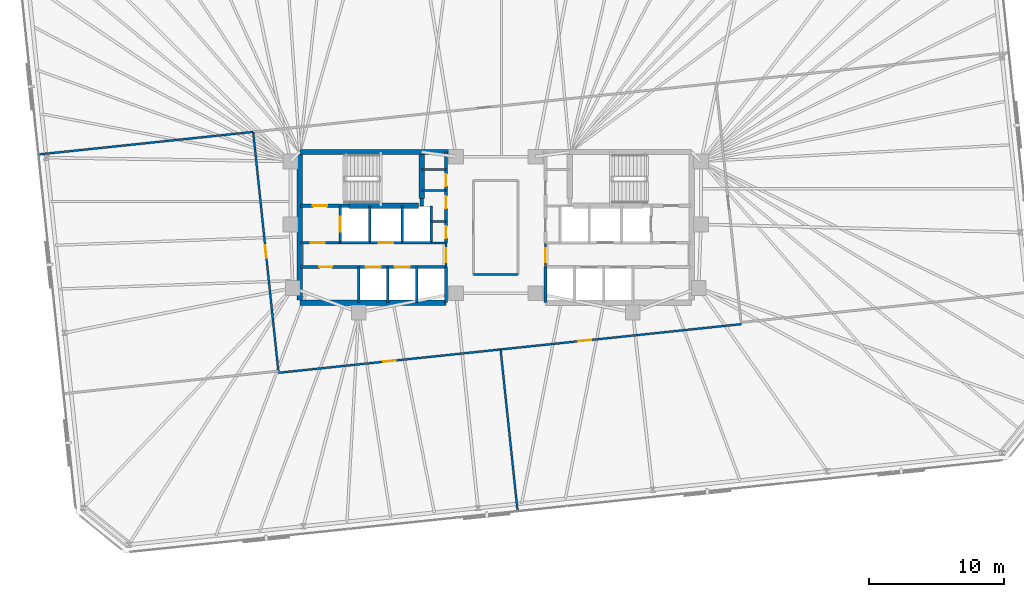
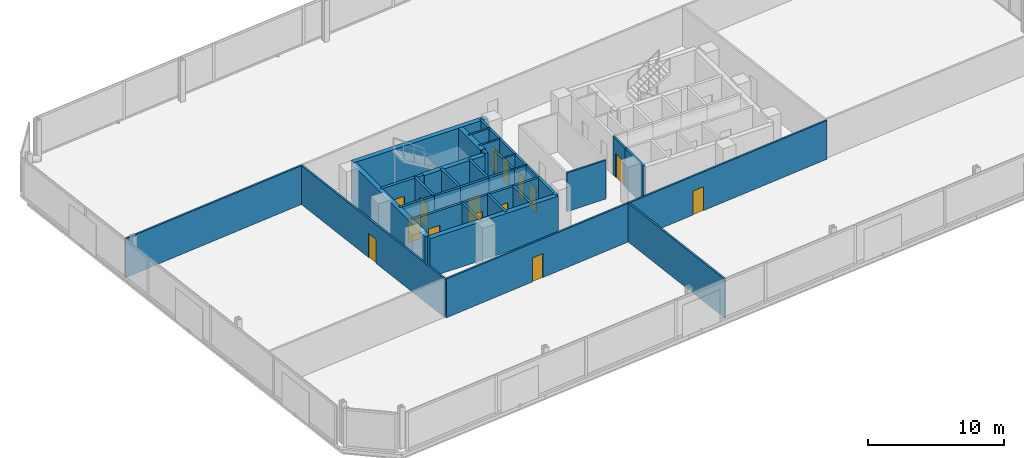
# One storey, part 14 of 17: 34 walls, 15 doors, 15 openings.
"""IFC4 building model written with IfcOpenShell, lengths in metres."""

import ifcopenshell
import ifcopenshell.guid

model = None  # the IFC model being written
_history = None  # IfcOwnerHistory: only IFC2X3 demands one
_inside = {}  # id of a spatial element -> (the spatial element, [elements in it])
_under = {}  # id of a project, library or spatial element -> (it, [spatial elements below it])
_declared = {}  # id of a project -> (the project, [libraries it declares])
_typed = {}  # id of a type object -> (the type object, [elements of that type])
_made_of = {}  # id of a material, layer set ... -> (it, [elements and type objects made of it])


def new_model(schema):
    """Start an empty IFC model of exactly this schema.

    Asked for "IFC4X3", IfcOpenShell would pick the latest addendum, in which some entities
    have other attributes; the version numbers below select the first issue.
    IFC2X3 requires an IfcOwnerHistory on every rooted entity: one is made here for all.
    """
    global model, _history
    if schema == "IFC4X3":
        model = ifcopenshell.file(schema_version=(4, 3, 0, 0))
    else:
        model = ifcopenshell.file(schema=schema)
    _inside.clear()
    _under.clear()
    _declared.clear()
    _typed.clear()
    _made_of.clear()
    _history = None
    if model.schema == "IFC2X3":
        org = make("IfcOrganization", Name="unknown")
        user = make(
            "IfcPersonAndOrganization",
            ThePerson=make("IfcPerson", FamilyName="unknown"),
            TheOrganization=org,
        )
        app = make(
            "IfcApplication",
            ApplicationDeveloper=org,
            Version="unknown",
            ApplicationFullName="unknown",
            ApplicationIdentifier="unknown",
        )
        _history = make(
            "IfcOwnerHistory",
            OwningUser=user,
            OwningApplication=app,
            ChangeAction="ADDED",
            CreationDate=0,
        )
    return model


def make(cls, **values):
    """One entity of the class cls with the attributes given. An attribute that is None is left unset."""
    return model.create_entity(
        cls, **{name: value for name, value in values.items() if value is not None}
    )


def rooted(cls, **values):
    """An entity with a GlobalId (a new one), such as an element, a storey or a relation."""
    return make(cls, GlobalId=ifcopenshell.guid.new(), OwnerHistory=_history, **values)


def si_unit(unit_type, name, prefix=None):
    """IfcSIUnit, for example si_unit("LENGTHUNIT", "METRE", prefix="MILLI")."""
    return make("IfcSIUnit", UnitType=unit_type, Prefix=prefix, Name=name)


def assignment(units):
    """IfcUnitAssignment: the units of a project."""
    return None if units is None else make("IfcUnitAssignment", Units=units)


def point(xyz):
    """IfcCartesianPoint."""
    return None if xyz is None else make("IfcCartesianPoint", Coordinates=xyz)


def direction(xyz):
    """IfcDirection."""
    return None if xyz is None else make("IfcDirection", DirectionRatios=xyz)


def frame(location, z_axis=None, x_axis=None):
    """IfcAxis2Placement3D, a coordinate frame: its origin and axes. An axis left out is left unset."""
    return make(
        "IfcAxis2Placement3D",
        Location=point(location),
        Axis=direction(z_axis),
        RefDirection=direction(x_axis),
    )


def frame_2d(location, x_axis=None):
    """IfcAxis2Placement2D, a coordinate frame in the plane: its origin and x axis."""
    return make(
        "IfcAxis2Placement2D", Location=point(location), RefDirection=direction(x_axis)
    )


def origin():
    """The frame at (0, 0, 0) with its axes left unset."""
    return frame((0.0, 0.0, 0.0))


def place(relative_to, where):
    """IfcLocalPlacement: puts the frame where relative to a parent placement (None: the world)."""
    return make(
        "IfcLocalPlacement", PlacementRelTo=relative_to, RelativePlacement=where
    )


def context(
    kind, dimensions, precision=None, world=None, true_north=None, identifier=None
):
    """IfcGeometricRepresentationContext, for example the 3D "Model" context."""
    return make(
        "IfcGeometricRepresentationContext",
        ContextIdentifier=identifier,
        ContextType=kind,
        CoordinateSpaceDimension=dimensions,
        Precision=precision,
        WorldCoordinateSystem=world,
        TrueNorth=true_north,
    )


def subcontext(parent, identifier, kind, view, scale=None):
    """IfcGeometricRepresentationSubContext, for example "Body" below "Model"."""
    return make(
        "IfcGeometricRepresentationSubContext",
        ContextIdentifier=identifier,
        ContextType=kind,
        ParentContext=parent,
        TargetScale=scale,
        TargetView=view,
    )


def project(units=None, contexts=None):
    """IfcProject with its units and contexts."""
    return rooted(
        "IfcProject",
        Name="project",
        RepresentationContexts=contexts,
        UnitsInContext=assignment(units),
    )


def spatial(cls, under=None, at=None, **own):
    """A site, building, storey or space (cls), placed at a placement, below another one or the project."""
    s = rooted(cls, ObjectPlacement=at, **own)
    if under is not None:
        _under.setdefault(under.id(), (under, []))[1].append(s)
    return s


def profile(cls, at=None, kind="AREA", **sizes):
    """A parametric profile (cls). Its sizes go by their IFC names, for example OverallWidth=200.0."""
    return make(cls, ProfileType=kind, Position=at, **sizes)


def rectangle(**sizes):
    """IfcRectangleProfileDef."""
    return profile("IfcRectangleProfileDef", **sizes)


def extrude(swept, where, along, depth):
    """IfcExtrudedAreaSolid: the profile swept, set in the frame where, extruded along a direction by depth."""
    return make(
        "IfcExtrudedAreaSolid",
        SweptArea=swept,
        Position=where,
        ExtrudedDirection=direction(along),
        Depth=depth,
    )


def shape(context_of_items, identifier, shape_type, items):
    """IfcShapeRepresentation: the items that make up one representation, for example the "Body"."""
    return make(
        "IfcShapeRepresentation",
        ContextOfItems=context_of_items,
        RepresentationIdentifier=identifier,
        RepresentationType=shape_type,
        Items=items,
    )


def material(Name=None, Category=None):
    """IfcMaterial."""
    return make("IfcMaterial", Name=Name, Category=Category)


def layer(
    of_material, thickness, ventilated=None, Name=None, Category=None, Priority=None
):
    """IfcMaterialLayer: one layer of a wall or slab, of a material (None: an air gap)."""
    return make(
        "IfcMaterialLayer",
        Material=of_material,
        LayerThickness=thickness,
        IsVentilated=ventilated,
        Name=Name,
        Category=Category,
        Priority=Priority,
    )


def layer_set(layers, Name=None):
    """IfcMaterialLayerSet."""
    return make("IfcMaterialLayerSet", MaterialLayers=layers, LayerSetName=Name)


def made_of(thing, what):
    """Note that an element or type object is made of a material, layer set ...; save() writes the relation."""
    if what is not None:
        _made_of.setdefault(what.id(), (what, []))[1].append(thing)
    return thing


def type_object(cls, material=None, **own):
    """A type object (cls), such as IfcWallType, which elements share."""
    return made_of(rooted(cls, **own), material)


def element(
    cls,
    number,
    at=None,
    inside=None,
    cuts=None,
    type_object=None,
    material=None,
    context=None,
    identifier="Body",
    shape_type=None,
    held_by="IfcProductDefinitionShape",
    body=None,
    shapes=None,
    **own,
):
    """One element of the class cls, such as IfcWall. Its Tag is "e" and its number.

    at: its placement. inside: the storey or other place that contains it. cuts: it is an
    opening in that element (IfcRelVoidsElement). A single representation is given by context,
    identifier, shape_type and body (its items); several are given by shapes. held_by: the class
    of the entity that holds the representations. save() writes the other relations.
    """
    e = rooted(cls, Tag="e%d" % number, ObjectPlacement=at, **own)
    if body is not None:
        shapes = [shape(context, identifier, shape_type, body)]
    if shapes is not None:
        e.Representation = make(held_by, Representations=shapes)
    if inside is not None:
        _inside.setdefault(inside.id(), (inside, []))[1].append(e)
    if cuts is not None:
        rooted(
            "IfcRelVoidsElement", RelatingBuildingElement=cuts, RelatedOpeningElement=e
        )
    if type_object is not None:
        _typed.setdefault(type_object.id(), (type_object, []))[1].append(e)
    return made_of(e, material)


def fill(opening, filler):
    """IfcRelFillsElement: the door or window that sits in an opening."""
    return rooted(
        "IfcRelFillsElement",
        RelatingOpeningElement=opening,
        RelatedBuildingElement=filler,
    )


def aggregate(whole, parts):
    """IfcRelAggregates: a whole, such as a stair, and the parts it consists of."""
    return rooted("IfcRelAggregates", RelatingObject=whole, RelatedObjects=parts)


def save(model, path):
    """Write the relations noted so far, then the file.

    IfcRelAggregates (storeys below a building ...), IfcRelContainedInSpatialStructure (elements
    in a storey), IfcRelDefinesByType, IfcRelAssociatesMaterial and IfcRelDeclares: one each for
    every whole, place, type object, material and project.
    """
    for whole, parts in _under.values():
        aggregate(whole, parts)
    for where, things in _inside.values():
        rooted(
            "IfcRelContainedInSpatialStructure",
            RelatedElements=things,
            RelatingStructure=where,
        )
    for kind, things in _typed.values():
        rooted("IfcRelDefinesByType", RelatedObjects=things, RelatingType=kind)
    for what, things in _made_of.values():
        rooted("IfcRelAssociatesMaterial", RelatedObjects=things, RelatingMaterial=what)
    for by, libraries in _declared.values():
        rooted("IfcRelDeclares", RelatingContext=by, RelatedDefinitions=libraries)
    model.write(path)


model = new_model("IFC4")

# Units and contexts
model_context = context("Model", 3, precision=1e-05, world=origin(), true_north=direction((0.0, 1.0)))
body_context = subcontext(model_context, "Body", "Model", "MODEL_VIEW")
ifc_project = project(units=[si_unit("LENGTHUNIT", "METRE"), si_unit("AREAUNIT", "SQUARE_METRE"), si_unit("VOLUMEUNIT", "CUBIC_METRE"), si_unit("PLANEANGLEUNIT", "RADIAN"), si_unit("MASSUNIT", "GRAM", prefix="KILO")], contexts=[model_context])

# Site, building, storey
site_placement = place(None, origin())
site = spatial("IfcSite", under=ifc_project, at=site_placement, CompositionType="ELEMENT")
building_placement = place(site_placement, origin())
building = spatial("IfcBuilding", under=site, at=building_placement, Name="Menara Jurai Vektor", CompositionType="ELEMENT")
storey_placement = place(building_placement, frame((0.0, 0.0, 87.39990234375)))
storey = spatial("IfcBuildingStorey", under=building, at=storey_placement, Name="L21", CompositionType="ELEMENT", Elevation=87.39990234375)

# Wall, opening, door
ifc_material_1 = material(Name="Concrete C40/50", Category="concrete")
ifc_layer_1 = layer(ifc_material_1, 0.25)
ifc_layer_set_1 = layer_set([ifc_layer_1], Name="Concrete C40/50")
wall_type_1 = type_object("IfcWallType", Name="INT-WALL-CORE-250", PredefinedType="STANDARD", material=ifc_layer_set_1)
wall_1_placement = place(storey_placement, frame((-14.5, 1.60009765625, 0.0), z_axis=(0.0, 0.0, 1.0), x_axis=(1.0, 0.0, 0.0)))
wall_1 = element("IfcWall", 1, at=wall_1_placement, inside=storey, type_object=wall_type_1, Name="Interior Wall IW-250 L21", PredefinedType="STANDARD", context=body_context, shape_type="SweptSolid", body=[
    extrude(rectangle(XDim=3.60009765625, YDim=0.25, at=frame_2d((1.800048828125, 0.0))), origin(), (0.0, 0.0, 1.0), 3.47509765625),
])
opening_1_placement = place(wall_1_placement, frame((0.919921875, 0.0, 0.0)))
opening_1 = element("IfcOpeningElement", 2, at=opening_1_placement, cuts=wall_1, Name="Opening D-L21-ST1", PredefinedType="OPENING", context=body_context, shape_type="SweptSolid", body=[
    extrude(rectangle(XDim=1.050048828125, YDim=2.14990234375, at=frame_2d((0.52490234375, 1.074951171875))), frame((0.0, 0.135009765625, 0.0), z_axis=(0.0, -1.0, 0.0), x_axis=(1.0, 0.0, 0.0)), (0.0, 0.0, 1.0), 0.27001953125),
])
ifc_material_2 = material(Name="Fire-Rated Steel Door", Category="steel")
door_type_1 = type_object("IfcDoorType", Name="DR-STAIR-1050", OperationType="NOTDEFINED", PredefinedType="DOOR", material=ifc_material_2)
door_1_placement = place(opening_1_placement, origin())
door_1 = element("IfcDoor", 3, at=door_1_placement, inside=storey, type_object=door_type_1, Name="Exit Stair ST1 Door L21", OperationType="SINGLE_SWING_RIGHT", OverallHeight=2.14990234375, OverallWidth=1.050048828125, PredefinedType="DOOR", context=body_context, shape_type="SweptSolid", body=[
    extrude(rectangle(XDim=1.050048828125, YDim=2.14990234375, at=frame_2d((0.52490234375, 1.074951171875))), frame((0.0, 0.02490234375, 0.0), z_axis=(0.0, -1.0, 0.0), x_axis=(1.0, 0.0, 0.0)), (0.0, 0.0, 1.0), 0.050048828125),
])
fill(opening_1, door_1)

# Wall
wall_2_placement = place(storey_placement, frame((-5.5, 1.60009765625, 0.0), z_axis=(0.0, 0.0, 1.0), x_axis=(0.0, 1.0, 0.0)))
element("IfcWall", 4, at=wall_2_placement, inside=storey, type_object=wall_type_1, Name="Interior Wall IW-250 L21", PredefinedType="STANDARD", context=body_context, shape_type="SweptSolid", body=[
    extrude(rectangle(XDim=0.5498046875, YDim=0.25, at=frame_2d((0.27490234375, 0.0))), origin(), (0.0, 0.0, 1.0), 3.47509765625),
])

# Wall, opening, door
wall_3_placement = place(storey_placement, frame((-11.550048828125, -1.14990234375, 0.0), z_axis=(0.0, 0.0, 1.0), x_axis=(0.0, 1.0, 0.0)))
wall_3 = element("IfcWall", 5, at=wall_3_placement, inside=storey, type_object=wall_type_1, Name="Interior Wall IW-250 L21", PredefinedType="STANDARD", context=body_context, shape_type="SweptSolid", body=[
    extrude(rectangle(XDim=2.75, YDim=0.199951171875, at=frame_2d((1.375, 0.0))), origin(), (0.0, 0.0, 1.0), 3.47509765625),
])
opening_2_placement = place(wall_3_placement, frame((0.824951171875, 0.0, 0.0)))
opening_2 = element("IfcOpeningElement", 6, at=opening_2_placement, cuts=wall_3, Name="Opening LD-L21-FL1", PredefinedType="OPENING", context=body_context, shape_type="SweptSolid", body=[
    extrude(rectangle(XDim=1.10009765625, YDim=2.14990234375, at=frame_2d((0.550048828125, 1.074951171875))), frame((0.0, 0.10986328125, 0.0), z_axis=(0.0, -1.0, 0.0), x_axis=(1.0, 0.0, 0.0)), (0.0, 0.0, 1.0), 0.219970703125),
])
ifc_material_3 = material(Name="Stainless Steel Sliding Lift Landing Door", Category="steel")
door_type_2 = type_object("IfcDoorType", Name="DR-LIFT-FIRE-1100", OperationType="NOTDEFINED", PredefinedType="DOOR", material=ifc_material_3)
door_2_placement = place(opening_2_placement, origin())
door_2 = element("IfcDoor", 7, at=door_2_placement, inside=storey, type_object=door_type_2, Name="Lift Landing Door FL1 L21", OperationType="SLIDING_TO_RIGHT", OverallHeight=2.14990234375, OverallWidth=1.10009765625, PredefinedType="DOOR", context=body_context, shape_type="SweptSolid", body=[
    extrude(rectangle(XDim=1.10009765625, YDim=2.14990234375, at=frame_2d((0.550048828125, 1.074951171875))), frame((0.0, 0.02490234375, 0.0), z_axis=(0.0, -1.0, 0.0), x_axis=(1.0, 0.0, 0.0)), (0.0, 0.0, 1.0), 0.050048828125),
])
fill(opening_2, door_2)

# Wall
wall_4_placement = place(storey_placement, frame((-9.35009765625, -1.14990234375, 0.0), z_axis=(0.0, 0.0, 1.0), x_axis=(0.0, 1.0, 0.0)))
element("IfcWall", 8, at=wall_4_placement, inside=storey, type_object=wall_type_1, Name="Interior Wall IW-250 L21", PredefinedType="STANDARD", context=body_context, shape_type="SweptSolid", body=[
    extrude(rectangle(XDim=2.75, YDim=0.199951171875, at=frame_2d((1.375, 0.0))), origin(), (0.0, 0.0, 1.0), 3.47509765625),
])

# Wall, opening, door
wall_5_placement = place(storey_placement, frame((-14.5, -1.14990234375, 0.0), z_axis=(0.0, 0.0, 1.0), x_axis=(1.0, 0.0, 0.0)))
wall_5 = element("IfcWall", 9, at=wall_5_placement, inside=storey, type_object=wall_type_1, Name="Interior Wall IW-250 L21", PredefinedType="STANDARD", context=body_context, shape_type="SweptSolid", body=[
    extrude(rectangle(XDim=2.949951171875, YDim=0.199951171875, at=frame_2d((1.47509765625, 0.0))), origin(), (0.0, 0.0, 1.0), 3.47509765625),
])
opening_3_placement = place(wall_5_placement, frame((0.75, 0.0, 0.0)))
opening_3 = element("IfcOpeningElement", 10, at=opening_3_placement, cuts=wall_5, Name="Opening D-L21-FFW", PredefinedType="OPENING", context=body_context, shape_type="SweptSolid", body=[
    extrude(rectangle(XDim=1.050048828125, YDim=2.179931640625, at=frame_2d((0.52490234375, 1.08984375))), frame((0.0, 0.10986328125, 0.0), z_axis=(0.0, -1.0, 0.0), x_axis=(1.0, 0.0, 0.0)), (0.0, 0.0, 1.0), 0.219970703125),
])
ifc_material_4 = material(Name="Fire-Rated Timber Door", Category="wood")
door_type_3 = type_object("IfcDoorType", Name="DR-LOBBY-1050", OperationType="NOTDEFINED", PredefinedType="DOOR", material=ifc_material_4)
door_3_placement = place(opening_3_placement, origin())
door_3 = element("IfcDoor", 11, at=door_3_placement, inside=storey, type_object=door_type_3, Name="Fire Lift Lobby Door W L21", OperationType="SINGLE_SWING_RIGHT", OverallHeight=2.179931640625, OverallWidth=1.050048828125, PredefinedType="DOOR", context=body_context, shape_type="SweptSolid", body=[
    extrude(rectangle(XDim=1.050048828125, YDim=2.179931640625, at=frame_2d((0.52490234375, 1.08984375))), frame((0.0, 0.02490234375, 0.0), z_axis=(0.0, -1.0, 0.0), x_axis=(1.0, 0.0, 0.0)), (0.0, 0.0, 1.0), 0.050048828125),
])
fill(opening_3, door_3)

# Wall
wall_6_placement = place(storey_placement, frame((-11.550048828125, -1.14990234375, 0.0), z_axis=(0.0, 0.0, 1.0), x_axis=(1.0, 0.0, 0.0)))
element("IfcWall", 12, at=wall_6_placement, inside=storey, type_object=wall_type_1, Name="Interior Wall IW-250 L21", PredefinedType="STANDARD", context=body_context, shape_type="SweptSolid", body=[
    extrude(rectangle(XDim=2.199951171875, YDim=0.199951171875, at=frame_2d((1.10009765625, 0.0))), origin(), (0.0, 0.0, 1.0), 3.47509765625),
])

# Wall, opening, door
ifc_material_5 = material(Name="Gypsum Fireboard Partition", Category="gypsum")
ifc_layer_2 = layer(ifc_material_5, 0.14990234375)
ifc_layer_set_2 = layer_set([ifc_layer_2], Name="Gypsum Fireboard Partition")
wall_type_2 = type_object("IfcWallType", Name="INT-WALL-CORR-150", PredefinedType="PARTITIONING", material=ifc_layer_set_2)
wall_7_placement = place(storey_placement, frame((-3.699951171875, -2.949951171875, 0.0), z_axis=(0.0, 0.0, 1.0), x_axis=(0.0, 1.0, 0.0)))
wall_7 = element("IfcWall", 13, at=wall_7_placement, inside=storey, type_object=wall_type_2, Name="Interior Wall IW-150 L21", PredefinedType="PARTITIONING", context=body_context, shape_type="SweptSolid", body=[
    extrude(rectangle(XDim=1.800048828125, YDim=0.14990234375, at=frame_2d((0.89990234375, 0.0))), origin(), (0.0, 0.0, 1.0), 3.47509765625),
])
opening_4_placement = place(wall_7_placement, frame((0.35009765625, 0.0, 0.0)))
opening_4 = element("IfcOpeningElement", 14, at=opening_4_placement, cuts=wall_7, Name="Opening D-L21-LLW", PredefinedType="OPENING", context=body_context, shape_type="SweptSolid", body=[
    extrude(rectangle(XDim=1.050048828125, YDim=2.179931640625, at=frame_2d((0.52490234375, 1.08984375))), frame((0.0, 0.0849609375, 0.0), z_axis=(0.0, -1.0, 0.0), x_axis=(1.0, 0.0, 0.0)), (0.0, 0.0, 1.0), 0.169921875),
])
door_4_placement = place(opening_4_placement, origin())
door_4 = element("IfcDoor", 15, at=door_4_placement, inside=storey, type_object=door_type_3, Name="Lift Lobby Corridor Door W L21", OperationType="SINGLE_SWING_LEFT", OverallHeight=2.179931640625, OverallWidth=1.050048828125, PredefinedType="DOOR", context=body_context, shape_type="SweptSolid", body=[
    extrude(rectangle(XDim=1.050048828125, YDim=2.179931640625, at=frame_2d((0.52490234375, 1.08984375))), frame((0.0, 0.02490234375, 0.0), z_axis=(0.0, -1.0, 0.0), x_axis=(1.0, 0.0, 0.0)), (0.0, 0.0, 1.0), 0.050048828125),
])
fill(opening_4, door_4)

# Wall
wall_8_placement = place(storey_placement, frame((-4.7900390625, -1.14990234375, 0.0), z_axis=(0.0, 0.0, 1.0), x_axis=(1.0, 0.0, 0.0)))
element("IfcWall", 16, at=wall_8_placement, inside=storey, type_object=wall_type_2, Name="Interior Wall IW-150 L21", PredefinedType="PARTITIONING", context=body_context, shape_type="SweptSolid", body=[
    extrude(rectangle(XDim=1.090087890625, YDim=0.14990234375, at=frame_2d((0.544921875, 0.0))), origin(), (0.0, 0.0, 1.0), 3.47509765625),
])

# Wall, opening, door
wall_9_placement = place(storey_placement, frame((3.699951171875, -2.949951171875, 0.0), z_axis=(0.0, 0.0, 1.0), x_axis=(0.0, 1.0, 0.0)))
wall_9 = element("IfcWall", 17, at=wall_9_placement, inside=storey, type_object=wall_type_2, Name="Interior Wall IW-150 L21", PredefinedType="PARTITIONING", context=body_context, shape_type="SweptSolid", body=[
    extrude(rectangle(XDim=1.800048828125, YDim=0.14990234375, at=frame_2d((0.89990234375, 0.0))), origin(), (0.0, 0.0, 1.0), 3.47509765625),
])
opening_5_placement = place(wall_9_placement, frame((0.35009765625, 0.0, 0.0)))
opening_5 = element("IfcOpeningElement", 18, at=opening_5_placement, cuts=wall_9, Name="Opening D-L21-LLE", PredefinedType="OPENING", context=body_context, shape_type="SweptSolid", body=[
    extrude(rectangle(XDim=1.050048828125, YDim=2.179931640625, at=frame_2d((0.52490234375, 1.08984375))), frame((0.0, 0.0849609375, 0.0), z_axis=(0.0, -1.0, 0.0), x_axis=(1.0, 0.0, 0.0)), (0.0, 0.0, 1.0), 0.169921875),
])
door_5_placement = place(opening_5_placement, frame((1.050048828125, 0.0, 0.0), z_axis=(0.0, 0.0, 1.0), x_axis=(-1.0, 0.0, 0.0)))
door_5 = element("IfcDoor", 19, at=door_5_placement, inside=storey, type_object=door_type_3, Name="Lift Lobby Corridor Door E L21", OperationType="SINGLE_SWING_RIGHT", OverallHeight=2.179931640625, OverallWidth=1.050048828125, PredefinedType="DOOR", context=body_context, shape_type="SweptSolid", body=[
    extrude(rectangle(XDim=1.050048828125, YDim=2.179931640625, at=frame_2d((0.52490234375, 1.08984375))), frame((0.0, 0.02490234375, 0.0), z_axis=(0.0, -1.0, 0.0), x_axis=(1.0, 0.0, 0.0)), (0.0, 0.0, 1.0), 0.050048828125),
])
fill(opening_5, door_5)

# Walls
wall_10_placement = place(storey_placement, frame((-5.5, 4.300048828125, 0.0), z_axis=(0.0, 0.0, 1.0), x_axis=(1.0, 0.0, 0.0)))
element("IfcWall", 20, at=wall_10_placement, inside=storey, type_object=wall_type_2, Name="Interior Wall IW-150 L21", PredefinedType="PARTITIONING", context=body_context, shape_type="SweptSolid", body=[
    extrude(rectangle(XDim=1.800048828125, YDim=0.14990234375, at=frame_2d((0.89990234375, 0.0))), origin(), (0.0, 0.0, 1.0), 3.47509765625),
])
wall_11_placement = place(storey_placement, frame((-4.7900390625, 0.449951171875, 0.0), z_axis=(0.0, 0.0, 1.0), x_axis=(1.0, 0.0, 0.0)))
element("IfcWall", 21, at=wall_11_placement, inside=storey, type_object=wall_type_2, Name="Interior Wall IW-150 L21", PredefinedType="PARTITIONING", context=body_context, shape_type="SweptSolid", body=[
    extrude(rectangle(XDim=1.090087890625, YDim=0.14990234375, at=frame_2d((0.544921875, 0.0))), origin(), (0.0, 0.0, 1.0), 3.47509765625),
])
wall_12_placement = place(storey_placement, frame((-5.5, 2.75, 0.0), z_axis=(0.0, 0.0, 1.0), x_axis=(1.0, 0.0, 0.0)))
element("IfcWall", 22, at=wall_12_placement, inside=storey, type_object=wall_type_2, Name="Interior Wall IW-150 L21", PredefinedType="PARTITIONING", context=body_context, shape_type="SweptSolid", body=[
    extrude(rectangle(XDim=1.800048828125, YDim=0.14990234375, at=frame_2d((0.89990234375, 0.0))), origin(), (0.0, 0.0, 1.0), 3.47509765625),
])
wall_13_placement = place(storey_placement, frame((-1.649658203125, -3.490478515625, 0.0), z_axis=(0.0, 0.0, 1.0), x_axis=(1.0, 0.0, 0.0)))
element("IfcWall", 23, at=wall_13_placement, inside=storey, type_object=wall_type_2, Name="Interior Wall IW-150 L21", PredefinedType="PARTITIONING", context=body_context, shape_type="SweptSolid", body=[
    extrude(rectangle(XDim=3.300048828125, YDim=0.14990234375, at=frame_2d((1.64990234375, 0.0))), origin(), (0.0, 0.0, 1.0), 3.47509765625),
])

# Wall, opening, door
wall_14_placement = place(storey_placement, frame((-16.139892578125, -10.80908203125, 0.0), z_axis=(0.0, 0.0, 1.0), x_axis=(0.994521566569, 0.104531591539, 0.0)))
wall_14 = element("IfcWall", 24, at=wall_14_placement, inside=storey, type_object=wall_type_2, Name="Interior Wall IW-150 L21", PredefinedType="PARTITIONING", context=body_context, shape_type="SweptSolid", body=[
    extrude(rectangle(XDim=16.591796875, YDim=0.14990234375, at=frame_2d((8.2958984375, 0.0))), origin(), (0.0, 0.0, 1.0), 3.47509765625),
])
opening_6_placement = place(wall_14_placement, frame((7.821044921875, 0.0, 0.0)))
opening_6 = element("IfcOpeningElement", 25, at=opening_6_placement, cuts=wall_14, Name="Opening D21-10", PredefinedType="OPENING", context=body_context, shape_type="SweptSolid", body=[
    extrude(rectangle(XDim=0.949951171875, YDim=2.14990234375, at=frame_2d((0.47509765625, 1.074951171875))), frame((0.0, 0.0849609375, 0.0), z_axis=(0.0, -1.0, 0.0), x_axis=(1.0, 0.0, 0.0)), (0.0, 0.0, 1.0), 0.169921875),
])
ifc_material_6 = material(Name="Solid Core Timber Fire Door", Category="wood")
door_type_4 = type_object("IfcDoorType", Name="DR-ENTRY-950", OperationType="NOTDEFINED", PredefinedType="DOOR", material=ifc_material_6)
door_6_placement = place(opening_6_placement, origin())
door_6 = element("IfcDoor", 26, at=door_6_placement, inside=storey, type_object=door_type_4, Name="Interior Door D21-10", OperationType="SINGLE_SWING_LEFT", OverallHeight=2.14990234375, OverallWidth=0.949951171875, PredefinedType="DOOR", context=body_context, shape_type="SweptSolid", body=[
    extrude(rectangle(XDim=0.949951171875, YDim=2.14990234375, at=frame_2d((0.47509765625, 1.074951171875))), frame((0.0, 0.02490234375, 0.0), z_axis=(0.0, -1.0, 0.0), x_axis=(1.0, 0.0, 0.0)), (0.0, 0.0, 1.0), 0.050048828125),
])
fill(opening_6, door_6)

wall_15_placement = place(storey_placement, frame((0.361083984375, -9.07470703125, 0.0), z_axis=(0.0, 0.0, 1.0), x_axis=(0.994523293042, 0.104515164432, 0.0)))
wall_15 = element("IfcWall", 27, at=wall_15_placement, inside=storey, type_object=wall_type_2, Name="Interior Wall IW-150 L21", PredefinedType="PARTITIONING", context=body_context, shape_type="SweptSolid", body=[
    extrude(rectangle(XDim=17.98193359375, YDim=0.14990234375, at=frame_2d((8.990966796875, 0.0))), origin(), (0.0, 0.0, 1.0), 3.47509765625),
])
opening_7_placement = place(wall_15_placement, frame((5.818603515625, 0.0, 0.0)))
opening_7 = element("IfcOpeningElement", 28, at=opening_7_placement, cuts=wall_15, Name="Opening D21-11", PredefinedType="OPENING", context=body_context, shape_type="SweptSolid", body=[
    extrude(rectangle(XDim=0.949951171875, YDim=2.14990234375, at=frame_2d((0.47509765625, 1.074951171875))), frame((0.0, 0.0849609375, 0.0), z_axis=(0.0, -1.0, 0.0), x_axis=(1.0, 0.0, 0.0)), (0.0, 0.0, 1.0), 0.169921875),
])
door_7_placement = place(opening_7_placement, origin())
door_7 = element("IfcDoor", 29, at=door_7_placement, inside=storey, type_object=door_type_4, Name="Interior Door D21-11", OperationType="SINGLE_SWING_RIGHT", OverallHeight=2.14990234375, OverallWidth=0.949951171875, PredefinedType="DOOR", context=body_context, shape_type="SweptSolid", body=[
    extrude(rectangle(XDim=0.949951171875, YDim=2.14990234375, at=frame_2d((0.47509765625, 1.074951171875))), frame((0.0, 0.02490234375, 0.0), z_axis=(0.0, -1.0, 0.0), x_axis=(1.0, 0.0, 0.0)), (0.0, 0.0, 1.0), 0.050048828125),
])
fill(opening_7, door_7)

wall_16_placement = place(storey_placement, frame((-16.1533203125, -10.681884765625, 0.0), z_axis=(0.0, 0.0, 1.0), x_axis=(-0.104527614588, 0.994521984568, 0.0)))
wall_16 = element("IfcWall", 30, at=wall_16_placement, inside=storey, type_object=wall_type_2, Name="Interior Wall IW-150 L21", PredefinedType="PARTITIONING", context=body_context, shape_type="SweptSolid", body=[
    extrude(rectangle(XDim=17.8701171875, YDim=0.14990234375, at=frame_2d((8.93505859375, 0.0))), origin(), (0.0, 0.0, 1.0), 3.47509765625),
])
opening_8_placement = place(wall_16_placement, frame((8.4599609375, 0.0, 0.0)))
opening_8 = element("IfcOpeningElement", 31, at=opening_8_placement, cuts=wall_16, Name="Opening D21-12", PredefinedType="OPENING", context=body_context, shape_type="SweptSolid", body=[
    extrude(rectangle(XDim=0.949951171875, YDim=2.14990234375, at=frame_2d((0.47509765625, 1.074951171875))), frame((0.0, 0.0849609375, 0.0), z_axis=(0.0, -1.0, 0.0), x_axis=(1.0, 0.0, 0.0)), (0.0, 0.0, 1.0), 0.169921875),
])
door_8_placement = place(opening_8_placement, origin())
door_8 = element("IfcDoor", 32, at=door_8_placement, inside=storey, type_object=door_type_4, Name="Interior Door D21-12", OperationType="SINGLE_SWING_LEFT", OverallHeight=2.14990234375, OverallWidth=0.949951171875, PredefinedType="DOOR", context=body_context, shape_type="SweptSolid", body=[
    extrude(rectangle(XDim=0.949951171875, YDim=2.14990234375, at=frame_2d((0.47509765625, 1.074951171875))), frame((0.0, 0.02490234375, 0.0), z_axis=(0.0, -1.0, 0.0), x_axis=(1.0, 0.0, 0.0)), (0.0, 0.0, 1.0), 0.050048828125),
])
fill(opening_8, door_8)

# Walls
wall_17_placement = place(storey_placement, frame((-33.966552734375, 5.414306640625, 0.0), z_axis=(0.0, 0.0, 1.0), x_axis=(0.994521211213, 0.104534972363, 0.0)))
element("IfcWall", 33, at=wall_17_placement, inside=storey, type_object=wall_type_2, Name="Interior Wall IW-150 L21", PredefinedType="PARTITIONING", context=body_context, shape_type="SweptSolid", body=[
    extrude(rectangle(XDim=16.033203125, YDim=0.14990234375, at=frame_2d((8.0166015625, 0.0))), origin(), (0.0, 0.0, 1.0), 3.47509765625),
])
wall_18_placement = place(storey_placement, frame((1.625, -21.1015625, 0.0), z_axis=(0.0, 0.0, 1.0), x_axis=(-0.104515587229, 0.99452324861, 0.0)))
element("IfcWall", 34, at=wall_18_placement, inside=storey, type_object=wall_type_2, Name="Interior Wall IW-150 L21", PredefinedType="PARTITIONING", context=body_context, shape_type="SweptSolid", body=[
    extrude(rectangle(XDim=12.093017578125, YDim=0.14990234375, at=frame_2d((6.04638671875, 0.0))), origin(), (0.0, 0.0, 1.0), 3.47509765625),
])

# Wall, openings, doors
ifc_layer_3 = layer(ifc_material_1, 0.199951171875)
ifc_layer_set_3 = layer_set([ifc_layer_3], Name="Concrete C40/50")
wall_type_3 = type_object("IfcWallType", Name="INT-WALL-SHAFT-200", PredefinedType="STANDARD", material=ifc_layer_set_3)
wall_19_placement = place(storey_placement, frame((-3.699951171875, -1.14990234375, 0.0), z_axis=(0.0, 0.0, 1.0), x_axis=(0.0, 1.0, 0.0)))
wall_19 = element("IfcWall", 35, at=wall_19_placement, inside=storey, type_object=wall_type_3, Name="Interior Wall IW-200 L21", PredefinedType="STANDARD", context=body_context, shape_type="SweptSolid", body=[
    extrude(rectangle(XDim=6.75, YDim=0.199951171875, at=frame_2d((3.375, 0.0))), origin(), (0.0, 0.0, 1.0), 3.47509765625),
])
opening_9_placement = place(wall_19_placement, frame((0.35009765625, 0.0, 0.0)))
opening_9 = element("IfcOpeningElement", 36, at=opening_9_placement, cuts=wall_19, Name="Opening D21-02", PredefinedType="OPENING", context=body_context, shape_type="SweptSolid", body=[
    extrude(rectangle(XDim=0.8798828125, YDim=2.14990234375, at=frame_2d((0.43994140625, 1.074951171875))), frame((0.0, 0.10986328125, 0.0), z_axis=(0.0, -1.0, 0.0), x_axis=(1.0, 0.0, 0.0)), (0.0, 0.0, 1.0), 0.219970703125),
])
opening_10_placement = place(wall_19_placement, frame((2.550048828125, 0.0, 0.0)))
opening_10 = element("IfcOpeningElement", 37, at=opening_10_placement, cuts=wall_19, Name="Opening D21-03", PredefinedType="OPENING", context=body_context, shape_type="SweptSolid", body=[
    extrude(rectangle(XDim=0.919921875, YDim=2.14990234375, at=frame_2d((0.4599609375, 1.074951171875))), frame((0.0, 0.10986328125, 0.0), z_axis=(0.0, -1.0, 0.0), x_axis=(1.0, 0.0, 0.0)), (0.0, 0.0, 1.0), 0.219970703125),
])
opening_11_placement = place(wall_19_placement, frame((4.219970703125, 0.0, 0.0)))
opening_11 = element("IfcOpeningElement", 38, at=opening_11_placement, cuts=wall_19, Name="Opening D21-04", PredefinedType="OPENING", context=body_context, shape_type="SweptSolid", body=[
    extrude(rectangle(XDim=0.8798828125, YDim=2.14990234375, at=frame_2d((0.43994140625, 1.074951171875))), frame((0.0, 0.10986328125, 0.0), z_axis=(0.0, -1.0, 0.0), x_axis=(1.0, 0.0, 0.0)), (0.0, 0.0, 1.0), 0.219970703125),
])
door_9_placement = place(opening_9_placement, origin())
door_9 = element("IfcDoor", 39, at=door_9_placement, inside=storey, type_object=door_type_4, Name="Interior Door D21-02", OperationType="SINGLE_SWING_LEFT", OverallHeight=2.14990234375, OverallWidth=0.8798828125, PredefinedType="DOOR", context=body_context, shape_type="SweptSolid", body=[
    extrude(rectangle(XDim=0.8798828125, YDim=2.14990234375, at=frame_2d((0.43994140625, 1.074951171875))), frame((0.0, 0.02490234375, 0.0), z_axis=(0.0, -1.0, 0.0), x_axis=(1.0, 0.0, 0.0)), (0.0, 0.0, 1.0), 0.050048828125),
])
fill(opening_9, door_9)
door_10_placement = place(opening_10_placement, origin())
door_10 = element("IfcDoor", 40, at=door_10_placement, inside=storey, type_object=door_type_4, Name="Interior Door D21-03", OperationType="SINGLE_SWING_LEFT", OverallHeight=2.14990234375, OverallWidth=0.919921875, PredefinedType="DOOR", context=body_context, shape_type="SweptSolid", body=[
    extrude(rectangle(XDim=0.919921875, YDim=2.14990234375, at=frame_2d((0.4599609375, 1.074951171875))), frame((0.0, 0.02490234375, 0.0), z_axis=(0.0, -1.0, 0.0), x_axis=(1.0, 0.0, 0.0)), (0.0, 0.0, 1.0), 0.050048828125),
])
fill(opening_10, door_10)
door_11_placement = place(opening_11_placement, origin())
door_11 = element("IfcDoor", 41, at=door_11_placement, inside=storey, type_object=door_type_4, Name="Interior Door D21-04", OperationType="SINGLE_SWING_LEFT", OverallHeight=2.14990234375, OverallWidth=0.8798828125, PredefinedType="DOOR", context=body_context, shape_type="SweptSolid", body=[
    extrude(rectangle(XDim=0.8798828125, YDim=2.14990234375, at=frame_2d((0.43994140625, 1.074951171875))), frame((0.0, 0.02490234375, 0.0), z_axis=(0.0, -1.0, 0.0), x_axis=(1.0, 0.0, 0.0)), (0.0, 0.0, 1.0), 0.050048828125),
])
fill(opening_11, door_11)

# Walls
wall_20_placement = place(storey_placement, frame((-3.699951171875, -5.60009765625, 0.0), z_axis=(0.0, 0.0, 1.0), x_axis=(0.0, 1.0, 0.0)))
element("IfcWall", 42, at=wall_20_placement, inside=storey, type_object=wall_type_3, Name="Interior Wall IW-200 L21", PredefinedType="STANDARD", context=body_context, shape_type="SweptSolid", body=[
    extrude(rectangle(XDim=2.650146484375, YDim=0.199951171875, at=frame_2d((1.3251953125, 0.0))), origin(), (0.0, 0.0, 1.0), 3.47509765625),
])
wall_21_placement = place(storey_placement, frame((-6.949951171875, -1.14990234375, 0.0), z_axis=(0.0, 0.0, 1.0), x_axis=(0.0, 1.0, 0.0)))
element("IfcWall", 43, at=wall_21_placement, inside=storey, type_object=wall_type_3, Name="Interior Wall IW-200 L21", PredefinedType="STANDARD", context=body_context, shape_type="SweptSolid", body=[
    extrude(rectangle(XDim=2.75, YDim=0.199951171875, at=frame_2d((1.375, 0.0))), origin(), (0.0, 0.0, 1.0), 3.47509765625),
])

# Wall, opening, door
wall_22_placement = place(storey_placement, frame((-9.35009765625, -1.14990234375, 0.0), z_axis=(0.0, 0.0, 1.0), x_axis=(1.0, 0.0, 0.0)))
wall_22 = element("IfcWall", 44, at=wall_22_placement, inside=storey, type_object=wall_type_3, Name="Interior Wall IW-200 L21", PredefinedType="STANDARD", context=body_context, shape_type="SweptSolid", body=[
    extrude(rectangle(XDim=2.400146484375, YDim=0.199951171875, at=frame_2d((1.2001953125, 0.0))), origin(), (0.0, 0.0, 1.0), 3.47509765625),
])
opening_12_placement = place(wall_22_placement, frame((0.64990234375, 0.0, 0.0)))
opening_12 = element("IfcOpeningElement", 45, at=opening_12_placement, cuts=wall_22, Name="Opening LD-L21-SVL1", PredefinedType="OPENING", context=body_context, shape_type="SweptSolid", body=[
    extrude(rectangle(XDim=1.10009765625, YDim=2.14990234375, at=frame_2d((0.550048828125, 1.074951171875))), frame((0.0, 0.10986328125, 0.0), z_axis=(0.0, -1.0, 0.0), x_axis=(1.0, 0.0, 0.0)), (0.0, 0.0, 1.0), 0.219970703125),
])
ifc_material_7 = material(Name="Anodised Stainless Sliding Lift Landing Door", Category="steel")
door_type_5 = type_object("IfcDoorType", Name="DR-LIFT-PASS-1100", OperationType="NOTDEFINED", PredefinedType="DOOR", material=ifc_material_7)
door_12_placement = place(opening_12_placement, origin())
door_12 = element("IfcDoor", 46, at=door_12_placement, inside=storey, type_object=door_type_5, Name="Lift Landing Door SVL1 L21", OperationType="SLIDING_TO_RIGHT", OverallHeight=2.14990234375, OverallWidth=1.10009765625, PredefinedType="DOOR", context=body_context, shape_type="SweptSolid", body=[
    extrude(rectangle(XDim=1.10009765625, YDim=2.14990234375, at=frame_2d((0.550048828125, 1.074951171875))), frame((0.0, 0.02490234375, 0.0), z_axis=(0.0, -1.0, 0.0), x_axis=(1.0, 0.0, 0.0)), (0.0, 0.0, 1.0), 0.050048828125),
])
fill(opening_12, door_12)

# Walls
wall_23_placement = place(storey_placement, frame((-4.7900390625, -1.14990234375, 0.0), z_axis=(0.0, 0.0, 1.0), x_axis=(0.0, 1.0, 0.0)))
element("IfcWall", 47, at=wall_23_placement, inside=storey, type_object=wall_type_3, Name="Interior Wall IW-200 L21", PredefinedType="STANDARD", context=body_context, shape_type="SweptSolid", body=[
    extrude(rectangle(XDim=2.75, YDim=0.199951171875, at=frame_2d((1.375, 0.0))), origin(), (0.0, 0.0, 1.0), 3.47509765625),
])
wall_24_placement = place(storey_placement, frame((-6.949951171875, -1.14990234375, 0.0), z_axis=(0.0, 0.0, 1.0), x_axis=(1.0, 0.0, 0.0)))
element("IfcWall", 48, at=wall_24_placement, inside=storey, type_object=wall_type_3, Name="Interior Wall IW-200 L21", PredefinedType="STANDARD", context=body_context, shape_type="SweptSolid", body=[
    extrude(rectangle(XDim=2.159912109375, YDim=0.199951171875, at=frame_2d((1.080078125, 0.0))), origin(), (0.0, 0.0, 1.0), 3.47509765625),
])

# Wall, openings, doors
wall_25_placement = place(storey_placement, frame((-14.5, -2.949951171875, 0.0), z_axis=(0.0, 0.0, 1.0), x_axis=(1.0, 0.0, 0.0)))
wall_25 = element("IfcWall", 49, at=wall_25_placement, inside=storey, type_object=wall_type_3, Name="Interior Wall IW-200 L21", PredefinedType="STANDARD", context=body_context, shape_type="SweptSolid", body=[
    extrude(rectangle(XDim=10.800048828125, YDim=0.199951171875, at=frame_2d((5.39990234375, 0.0))), origin(), (0.0, 0.0, 1.0), 3.47509765625),
])
opening_13_placement = place(wall_25_placement, frame((4.85009765625, 0.0, 0.0)))
opening_13 = element("IfcOpeningElement", 50, at=opening_13_placement, cuts=wall_25, Name="Opening LD-L21-PM1", PredefinedType="OPENING", context=body_context, shape_type="SweptSolid", body=[
    extrude(rectangle(XDim=1.10009765625, YDim=2.14990234375, at=frame_2d((0.550048828125, 1.074951171875))), frame((0.0, 0.10986328125, 0.0), z_axis=(0.0, -1.0, 0.0), x_axis=(1.0, 0.0, 0.0)), (0.0, 0.0, 1.0), 0.219970703125),
])
opening_14_placement = place(wall_25_placement, frame((7.010009765625, 0.0, 0.0)))
opening_14 = element("IfcOpeningElement", 51, at=opening_14_placement, cuts=wall_25, Name="Opening LD-L21-PM2", PredefinedType="OPENING", context=body_context, shape_type="SweptSolid", body=[
    extrude(rectangle(XDim=1.10009765625, YDim=2.14990234375, at=frame_2d((0.550048828125, 1.074951171875))), frame((0.0, 0.10986328125, 0.0), z_axis=(0.0, -1.0, 0.0), x_axis=(1.0, 0.0, 0.0)), (0.0, 0.0, 1.0), 0.219970703125),
])
opening_15_placement = place(wall_25_placement, frame((1.39990234375, 0.0, 0.0)))
opening_15 = element("IfcOpeningElement", 52, at=opening_15_placement, cuts=wall_25, Name="Opening D21-01", PredefinedType="OPENING", context=body_context, shape_type="SweptSolid", body=[
    extrude(rectangle(XDim=0.949951171875, YDim=2.14990234375, at=frame_2d((0.47509765625, 1.074951171875))), frame((0.0, 0.10986328125, 0.0), z_axis=(0.0, -1.0, 0.0), x_axis=(1.0, 0.0, 0.0)), (0.0, 0.0, 1.0), 0.219970703125),
])
door_13_placement = place(opening_15_placement, origin())
door_13 = element("IfcDoor", 53, at=door_13_placement, inside=storey, type_object=door_type_4, Name="Interior Door D21-01", OperationType="SINGLE_SWING_LEFT", OverallHeight=2.14990234375, OverallWidth=0.949951171875, PredefinedType="DOOR", context=body_context, shape_type="SweptSolid", body=[
    extrude(rectangle(XDim=0.949951171875, YDim=2.14990234375, at=frame_2d((0.47509765625, 1.074951171875))), frame((0.0, 0.02490234375, 0.0), z_axis=(0.0, -1.0, 0.0), x_axis=(1.0, 0.0, 0.0)), (0.0, 0.0, 1.0), 0.050048828125),
])
fill(opening_15, door_13)
door_14_placement = place(opening_13_placement, origin())
door_14 = element("IfcDoor", 54, at=door_14_placement, inside=storey, type_object=door_type_5, Name="Lift Landing Door PM1 L21", OperationType="SLIDING_TO_LEFT", OverallHeight=2.14990234375, OverallWidth=1.10009765625, PredefinedType="DOOR", context=body_context, shape_type="SweptSolid", body=[
    extrude(rectangle(XDim=1.10009765625, YDim=2.14990234375, at=frame_2d((0.550048828125, 1.074951171875))), frame((0.0, 0.02490234375, 0.0), z_axis=(0.0, -1.0, 0.0), x_axis=(1.0, 0.0, 0.0)), (0.0, 0.0, 1.0), 0.050048828125),
])
fill(opening_13, door_14)
door_15_placement = place(opening_14_placement, origin())
door_15 = element("IfcDoor", 55, at=door_15_placement, inside=storey, type_object=door_type_5, Name="Lift Landing Door PM2 L21", OperationType="SLIDING_TO_LEFT", OverallHeight=2.14990234375, OverallWidth=1.10009765625, PredefinedType="DOOR", context=body_context, shape_type="SweptSolid", body=[
    extrude(rectangle(XDim=1.10009765625, YDim=2.14990234375, at=frame_2d((0.550048828125, 1.074951171875))), frame((0.0, 0.02490234375, 0.0), z_axis=(0.0, -1.0, 0.0), x_axis=(1.0, 0.0, 0.0)), (0.0, 0.0, 1.0), 0.050048828125),
])
fill(opening_14, door_15)

# Walls
wall_26_placement = place(storey_placement, frame((-5.860107421875, -5.60009765625, 0.0), z_axis=(0.0, 0.0, 1.0), x_axis=(0.0, 1.0, 0.0)))
element("IfcWall", 56, at=wall_26_placement, inside=storey, type_object=wall_type_3, Name="Interior Wall IW-200 L21", PredefinedType="STANDARD", context=body_context, shape_type="SweptSolid", body=[
    extrude(rectangle(XDim=2.650146484375, YDim=0.199951171875, at=frame_2d((1.3251953125, 0.0))), origin(), (0.0, 0.0, 1.0), 3.47509765625),
])
for number, where, z_axis, x_axis, name in (
    (57, (-10.179931640625, -5.60009765625, 0.0), (0.0, 0.0, 1.0), (0.0, 1.0, 0.0), "Interior Wall IW-200 L21"),
    (58, (-8.02001953125, -5.60009765625, 0.0), (0.0, 0.0, 1.0), (0.0, 1.0, 0.0), "Interior Wall IW-200 L21"),
):
    element("IfcWall", number, at=place(storey_placement, frame(where, z_axis=z_axis, x_axis=x_axis)), inside=storey, type_object=wall_type_3, Name=name, PredefinedType="STANDARD", context=body_context, shape_type="SweptSolid", body=[
        extrude(rectangle(XDim=2.650146484375, YDim=0.179931640625, at=frame_2d((1.3251953125, 0.0))), origin(), (0.0, 0.0, 1.0), 3.47509765625),
    ])
wall_27_placement = place(storey_placement, frame((3.699951171875, -5.60009765625, 0.0), z_axis=(0.0, 0.0, 1.0), x_axis=(0.0, 1.0, 0.0)))
element("IfcWall", 59, at=wall_27_placement, inside=storey, type_object=wall_type_3, Name="Interior Wall IW-200 L21", PredefinedType="STANDARD", context=body_context, shape_type="SweptSolid", body=[
    extrude(rectangle(XDim=2.650146484375, YDim=0.199951171875, at=frame_2d((1.3251953125, 0.0))), origin(), (0.0, 0.0, 1.0), 3.47509765625),
])
ifc_material_8 = material(Name="Concrete C50/60", Category="concrete")
ifc_layer_4 = layer(ifc_material_8, 0.39990234375)
ifc_layer_set_4 = layer_set([ifc_layer_4], Name="Concrete C50/60")
wall_type_4 = type_object("IfcWallType", Name="STR-WALL-CORE400", PredefinedType="SHEAR", material=ifc_layer_set_4)
wall_28_placement = place(storey_placement, frame((-14.56005859375, 5.60009765625, 0.0), z_axis=(0.0, 0.0, 1.0), x_axis=(1.0, 0.0, 0.0)))
element("IfcWall", 60, at=wall_28_placement, inside=storey, type_object=wall_type_4, Name="Core Shear Wall CW-W-N L21", PredefinedType="SHEAR", context=body_context, shape_type="SweptSolid", body=[
    extrude(rectangle(XDim=11.41015625, YDim=0.39990234375, at=frame_2d((5.705078125, 0.0))), origin(), (0.0, 0.0, 1.0), 3.47509765625),
])
wall_29_placement = place(storey_placement, frame((-14.56005859375, -5.60009765625, 0.0), z_axis=(0.0, 0.0, 1.0), x_axis=(1.0, 0.0, 0.0)))
element("IfcWall", 61, at=wall_29_placement, inside=storey, type_object=wall_type_4, Name="Core Shear Wall CW-W-S L21", PredefinedType="SHEAR", context=body_context, shape_type="SweptSolid", body=[
    extrude(rectangle(XDim=10.860107421875, YDim=0.39990234375, at=frame_2d((5.43017578125, 0.0))), origin(), (0.0, 0.0, 1.0), 3.47509765625),
])
wall_30_placement = place(storey_placement, frame((-14.56005859375, -5.39990234375, 0.0), z_axis=(0.0, 0.0, 1.0), x_axis=(0.0, 1.0, 0.0)))
element("IfcWall", 62, at=wall_30_placement, inside=storey, type_object=wall_type_4, Name="Core Shear Wall CW-W-W L21", PredefinedType="SHEAR", context=body_context, shape_type="SweptSolid", body=[
    extrude(rectangle(XDim=10.7998046875, YDim=0.39990234375, at=frame_2d((5.39990234375, 0.0))), origin(), (0.0, 0.0, 1.0), 3.47509765625),
])
wall_31_placement = place(storey_placement, frame((-5.5, 2.14990234375, 0.0), z_axis=(0.0, 0.0, 1.0), x_axis=(0.0, 1.0, 0.0)))
element("IfcWall", 63, at=wall_31_placement, inside=storey, type_object=wall_type_4, Name="Core Shear Wall CW-W-ST L21", PredefinedType="SHEAR", context=body_context, shape_type="SweptSolid", body=[
    extrude(rectangle(XDim=3.25, YDim=0.39990234375, at=frame_2d((1.625, 0.0))), origin(), (0.0, 0.0, 1.0), 3.47509765625),
])
wall_32_placement = place(storey_placement, frame((-10.89990234375, 1.60009765625, 0.0), z_axis=(0.0, 0.0, 1.0), x_axis=(1.0, 0.0, 0.0)))
element("IfcWall", 64, at=wall_32_placement, inside=storey, type_object=wall_type_4, Name="Core Shear Wall CW-W-STS L21", PredefinedType="SHEAR", context=body_context, shape_type="SweptSolid", body=[
    extrude(rectangle(XDim=5.14990234375, YDim=0.39990234375, at=frame_2d((2.574951171875, 0.0))), origin(), (0.0, 0.0, 1.0), 3.47509765625),
])

save(model, "model.ifc")
